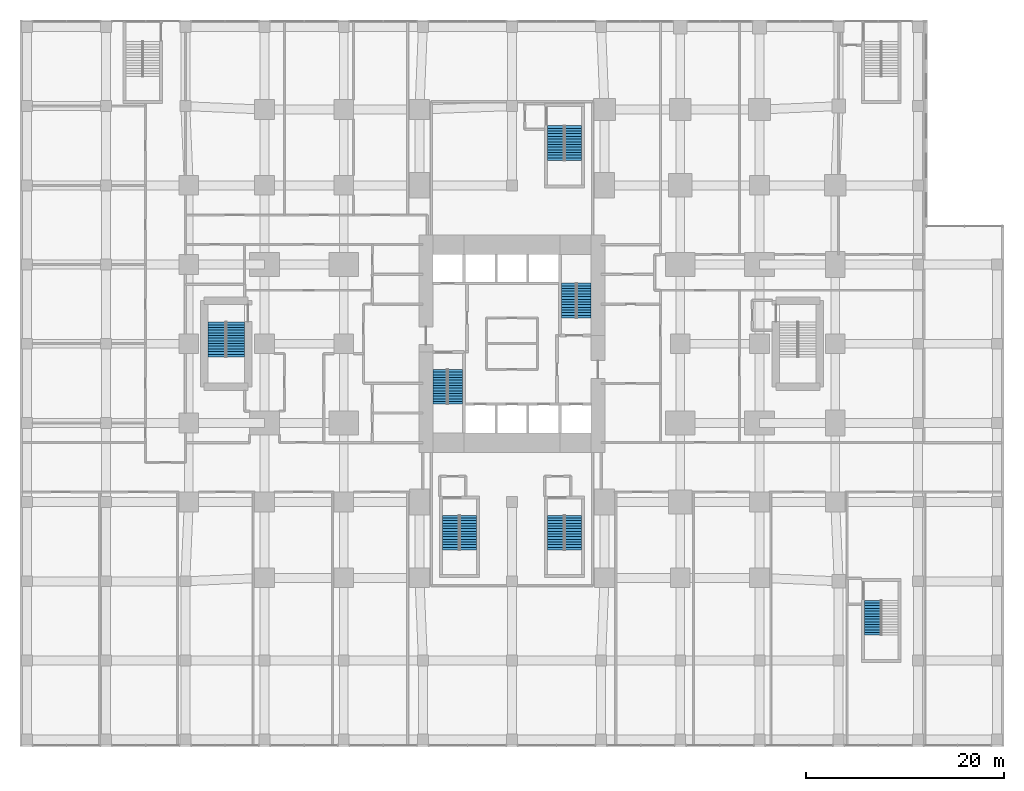
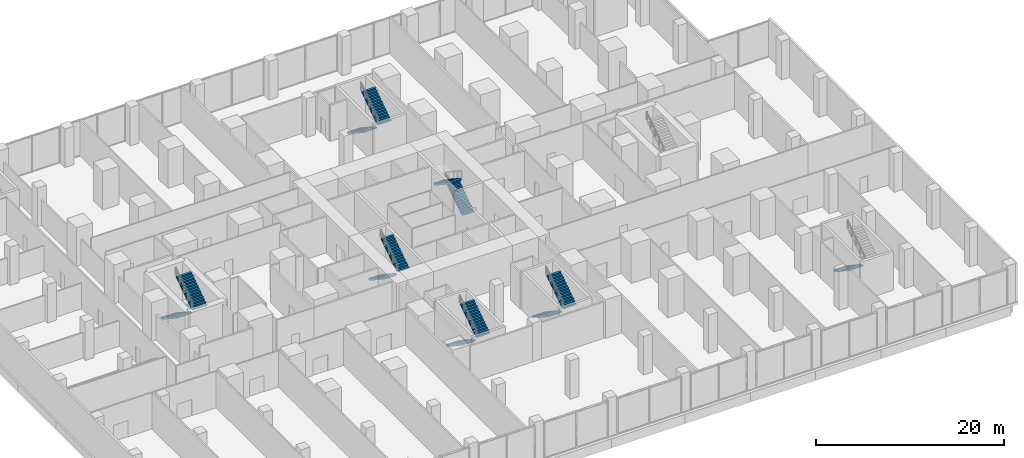
# One storey, part 20 of 22: 13 stair flights, 7 elements without a shape of their own.
"""IFC4 building model written with IfcOpenShell, lengths in metres."""

from ifc_helpers import new_model, si_unit, direction, frame, origin, place, context, subcontext, project, spatial, polyline, outline, extrude, material, type_object, element, aggregate, save


model = new_model("IFC4")

# Units and contexts
model_context = context("Model", 3, precision=1e-05, world=origin(), true_north=direction((0.0, 1.0)))
body_context = subcontext(model_context, "Body", "Model", "MODEL_VIEW")
ifc_project = project(units=[si_unit("LENGTHUNIT", "METRE"), si_unit("AREAUNIT", "SQUARE_METRE"), si_unit("VOLUMEUNIT", "CUBIC_METRE"), si_unit("PLANEANGLEUNIT", "RADIAN"), si_unit("MASSUNIT", "GRAM", prefix="KILO")], contexts=[model_context])

# Site, building, storey
site_placement = place(None, origin())
site = spatial("IfcSite", under=ifc_project, at=site_placement, CompositionType="ELEMENT")
building_placement = place(site_placement, origin())
building = spatial("IfcBuilding", under=site, at=building_placement, Name="Cleftline Residences", CompositionType="ELEMENT")
storey_placement = place(building_placement, frame((0.0, 0.0, 6.0)))
storey = spatial("IfcBuildingStorey", under=building, at=storey_placement, Name="L01", CompositionType="ELEMENT", Elevation=6.0)

# Stair, stair flights
ifc_material_1 = material(Name="Concrete B45, stone treads", Category="masonry")
stair_type_1 = type_object("IfcStairType", Name="STAIR A 1450 WIDE 179 RISER", PredefinedType="HALF_TURN_STAIR", material=ifc_material_1)
stair_1_placement = place(storey_placement, origin())
stair_1 = element("IfcStair", 1, at=stair_1_placement, inside=storey, type_object=stair_type_1, Name="Stair A L01", PredefinedType="HALF_TURN_STAIR")
ifc_material_2 = material(Name="Concrete B45", Category="concrete")
stair_flight_type_1 = type_object("IfcStairFlightType", Name="STAIR A FLIGHT 1450X179", PredefinedType="STRAIGHT", material=ifc_material_2)
stair_flight_1_placement = place(storey_placement, frame((25.72509765625, 21.39990234375, 0.0), z_axis=(0.0, 0.0, 1.0), x_axis=(0.0, -1.0, 0.0)))
stair_flight_1 = element("IfcStairFlight", 2, at=stair_flight_1_placement, type_object=stair_flight_type_1, Name="ST-A flight 1", NumberOfRisers=14, NumberOfTreads=13, PredefinedType="STRAIGHT", RiserHeight=0.178571429, TreadLength=0.27, context=body_context, shape_type="SweptSolid", body=[
    extrude(outline(polyline([(0.0, 0.0), (0.0, 0.013671875), (0.0, 0.027587890625), (0.0, 0.041259765625), (0.0, 0.054931640625), (0.0, 0.068603515625), (0.0, 0.08251953125), (0.0, 0.09619140625), (0.0, 0.10986328125), (0.0, 0.12353515625), (0.0, 0.137451171875), (0.0, 0.151123046875), (0.0, 0.164794921875), (0.0, 0.178466796875), (0.27001953125, 0.178466796875), (0.27001953125, 0.357177734375), (0.5400390625, 0.357177734375), (0.5400390625, 0.53564453125), (0.81005859375, 0.53564453125), (0.81005859375, 0.71435546875), (1.080078125, 0.71435546875), (1.080078125, 0.892822265625), (1.35009765625, 0.892822265625), (1.35009765625, 1.071533203125), (1.6201171875, 1.071533203125), (1.6201171875, 1.25), (1.889892578125, 1.25), (1.889892578125, 1.428466796875), (2.159912109375, 1.428466796875), (2.159912109375, 1.607177734375), (2.429931640625, 1.607177734375), (2.429931640625, 1.78564453125), (2.699951171875, 1.78564453125), (2.699951171875, 1.96435546875), (2.969970703125, 1.96435546875), (2.969970703125, 2.142822265625), (3.239990234375, 2.142822265625), (3.239990234375, 2.321533203125), (3.510009765625, 2.321533203125), (3.510009765625, 2.5), (3.510009765625, 2.472412109375), (3.510009765625, 2.44482421875), (3.510009765625, 2.417236328125), (3.510009765625, 2.3896484375), (3.510009765625, 2.3623046875), (3.510009765625, 2.334716796875), (3.510009765625, 2.30712890625), (3.510009765625, 2.279541015625), (3.510009765625, 2.251953125), (3.510009765625, 2.224365234375), (3.510009765625, 2.19677734375), (3.510009765625, 2.169189453125), (3.510009765625, 2.1416015625), (0.271728515625, 0.0), (0.0, 0.0)])), frame((0.0, 0.72509765625, 0.0), z_axis=(0.0, -1.0, 0.0), x_axis=(1.0, 0.0, 0.0)), (0.0, 0.0, 1.0), 1.449951171875),
])
stair_flight_2_placement = place(storey_placement, frame((27.27490234375, 17.889892578125, 2.5), z_axis=(0.0, 0.0, 1.0), x_axis=(0.0, 1.0, 0.0)))
stair_flight_2 = element("IfcStairFlight", 3, at=stair_flight_2_placement, type_object=stair_flight_type_1, Name="ST-A flight 2", NumberOfRisers=14, NumberOfTreads=13, PredefinedType="STRAIGHT", RiserHeight=0.178571429, TreadLength=0.27, context=body_context, shape_type="SweptSolid", body=[
    extrude(outline(polyline([(0.0, 0.0), (0.0, 0.013671875), (0.0, 0.027587890625), (0.0, 0.041259765625), (0.0, 0.054931640625), (0.0, 0.068603515625), (0.0, 0.08251953125), (0.0, 0.09619140625), (0.0, 0.10986328125), (0.0, 0.12353515625), (0.0, 0.137451171875), (0.0, 0.151123046875), (0.0, 0.164794921875), (0.0, 0.178466796875), (0.27001953125, 0.178466796875), (0.27001953125, 0.357177734375), (0.5400390625, 0.357177734375), (0.5400390625, 0.53564453125), (0.81005859375, 0.53564453125), (0.81005859375, 0.71435546875), (1.080078125, 0.71435546875), (1.080078125, 0.892822265625), (1.35009765625, 0.892822265625), (1.35009765625, 1.071533203125), (1.6201171875, 1.071533203125), (1.6201171875, 1.25), (1.889892578125, 1.25), (1.889892578125, 1.428466796875), (2.159912109375, 1.428466796875), (2.159912109375, 1.607177734375), (2.429931640625, 1.607177734375), (2.429931640625, 1.78564453125), (2.699951171875, 1.78564453125), (2.699951171875, 1.96435546875), (2.969970703125, 1.96435546875), (2.969970703125, 2.142822265625), (3.239990234375, 2.142822265625), (3.239990234375, 2.321533203125), (3.510009765625, 2.321533203125), (3.510009765625, 2.5), (3.510009765625, 2.472412109375), (3.510009765625, 2.44482421875), (3.510009765625, 2.417236328125), (3.510009765625, 2.3896484375), (3.510009765625, 2.3623046875), (3.510009765625, 2.334716796875), (3.510009765625, 2.30712890625), (3.510009765625, 2.279541015625), (3.510009765625, 2.251953125), (3.510009765625, 2.224365234375), (3.510009765625, 2.19677734375), (3.510009765625, 2.169189453125), (3.510009765625, 2.1416015625), (0.271728515625, 0.0), (0.0, 0.0)])), frame((0.0, 0.72509765625, 0.0), z_axis=(0.0, -1.0, 0.0), x_axis=(1.0, 0.0, 0.0)), (0.0, 0.0, 1.0), 1.449951171875),
])
aggregate(stair_1, [stair_flight_1, stair_flight_2])

ifc_material_3 = material(Name="Concrete B45, stone treads", Category="masonry")
stair_type_2 = type_object("IfcStairType", Name="STAIR B 1450 WIDE 179 RISER", PredefinedType="HALF_TURN_STAIR", material=ifc_material_3)
stair_2_placement = place(storey_placement, origin())
stair_2 = element("IfcStair", 4, at=stair_2_placement, inside=storey, type_object=stair_type_2, Name="Stair B L01", PredefinedType="HALF_TURN_STAIR")
ifc_material_4 = material(Name="Concrete B45", Category="concrete")
stair_flight_type_2 = type_object("IfcStairFlightType", Name="STAIR B FLIGHT 1450X179", PredefinedType="STRAIGHT", material=ifc_material_4)
stair_flight_3_placement = place(storey_placement, frame((40.27490234375, 26.60009765625, 0.0), z_axis=(0.0, 0.0, 1.0), x_axis=(0.0, 1.0, 0.0)))
stair_flight_3 = element("IfcStairFlight", 5, at=stair_flight_3_placement, type_object=stair_flight_type_2, Name="ST-B flight 1", NumberOfRisers=14, NumberOfTreads=13, PredefinedType="STRAIGHT", RiserHeight=0.178571429, TreadLength=0.27, context=body_context, shape_type="SweptSolid", body=[
    extrude(outline(polyline([(0.0, 0.0), (0.0, 0.013671875), (0.0, 0.027587890625), (0.0, 0.041259765625), (0.0, 0.054931640625), (0.0, 0.068603515625), (0.0, 0.08251953125), (0.0, 0.09619140625), (0.0, 0.10986328125), (0.0, 0.12353515625), (0.0, 0.137451171875), (0.0, 0.151123046875), (0.0, 0.164794921875), (0.0, 0.178466796875), (0.27001953125, 0.178466796875), (0.27001953125, 0.357177734375), (0.5400390625, 0.357177734375), (0.5400390625, 0.53564453125), (0.81005859375, 0.53564453125), (0.81005859375, 0.71435546875), (1.080078125, 0.71435546875), (1.080078125, 0.892822265625), (1.35009765625, 0.892822265625), (1.35009765625, 1.071533203125), (1.6201171875, 1.071533203125), (1.6201171875, 1.25), (1.889892578125, 1.25), (1.889892578125, 1.428466796875), (2.159912109375, 1.428466796875), (2.159912109375, 1.607177734375), (2.429931640625, 1.607177734375), (2.429931640625, 1.78564453125), (2.699951171875, 1.78564453125), (2.699951171875, 1.96435546875), (2.969970703125, 1.96435546875), (2.969970703125, 2.142822265625), (3.239990234375, 2.142822265625), (3.239990234375, 2.321533203125), (3.510009765625, 2.321533203125), (3.510009765625, 2.5), (3.510009765625, 2.472412109375), (3.510009765625, 2.44482421875), (3.510009765625, 2.417236328125), (3.510009765625, 2.3896484375), (3.510009765625, 2.3623046875), (3.510009765625, 2.334716796875), (3.510009765625, 2.30712890625), (3.510009765625, 2.279541015625), (3.510009765625, 2.251953125), (3.510009765625, 2.224365234375), (3.510009765625, 2.19677734375), (3.510009765625, 2.169189453125), (3.510009765625, 2.1416015625), (0.271728515625, 0.0), (0.0, 0.0)])), frame((0.0, 0.72509765625, 0.0), z_axis=(0.0, -1.0, 0.0), x_axis=(1.0, 0.0, 0.0)), (0.0, 0.0, 1.0), 1.449951171875),
])
stair_flight_4_placement = place(storey_placement, frame((38.72509765625, 30.110107421875, 2.5), z_axis=(0.0, 0.0, 1.0), x_axis=(0.0, -1.0, 0.0)))
stair_flight_4 = element("IfcStairFlight", 6, at=stair_flight_4_placement, type_object=stair_flight_type_2, Name="ST-B flight 2", NumberOfRisers=14, NumberOfTreads=13, PredefinedType="STRAIGHT", RiserHeight=0.178571429, TreadLength=0.27, context=body_context, shape_type="SweptSolid", body=[
    extrude(outline(polyline([(0.0, 0.0), (0.0, 0.013671875), (0.0, 0.027587890625), (0.0, 0.041259765625), (0.0, 0.054931640625), (0.0, 0.068603515625), (0.0, 0.08251953125), (0.0, 0.09619140625), (0.0, 0.10986328125), (0.0, 0.12353515625), (0.0, 0.137451171875), (0.0, 0.151123046875), (0.0, 0.164794921875), (0.0, 0.178466796875), (0.27001953125, 0.178466796875), (0.27001953125, 0.357177734375), (0.5400390625, 0.357177734375), (0.5400390625, 0.53564453125), (0.81005859375, 0.53564453125), (0.81005859375, 0.71435546875), (1.080078125, 0.71435546875), (1.080078125, 0.892822265625), (1.35009765625, 0.892822265625), (1.35009765625, 1.071533203125), (1.6201171875, 1.071533203125), (1.6201171875, 1.25), (1.889892578125, 1.25), (1.889892578125, 1.428466796875), (2.159912109375, 1.428466796875), (2.159912109375, 1.607177734375), (2.429931640625, 1.607177734375), (2.429931640625, 1.78564453125), (2.699951171875, 1.78564453125), (2.699951171875, 1.96435546875), (2.969970703125, 1.96435546875), (2.969970703125, 2.142822265625), (3.239990234375, 2.142822265625), (3.239990234375, 2.321533203125), (3.510009765625, 2.321533203125), (3.510009765625, 2.5), (3.510009765625, 2.472412109375), (3.510009765625, 2.44482421875), (3.510009765625, 2.417236328125), (3.510009765625, 2.3896484375), (3.510009765625, 2.3623046875), (3.510009765625, 2.334716796875), (3.510009765625, 2.30712890625), (3.510009765625, 2.279541015625), (3.510009765625, 2.251953125), (3.510009765625, 2.224365234375), (3.510009765625, 2.19677734375), (3.510009765625, 2.169189453125), (3.510009765625, 2.1416015625), (0.271728515625, 0.0), (0.0, 0.0)])), frame((0.0, 0.72509765625, 0.0), z_axis=(0.0, -1.0, 0.0), x_axis=(1.0, 0.0, 0.0)), (0.0, 0.0, 1.0), 1.449951171875),
])
aggregate(stair_2, [stair_flight_3, stair_flight_4])

ifc_material_5 = material(Name="Concrete B45, stone treads", Category="masonry")
stair_type_3 = type_object("IfcStairType", Name="STAIR C 1630 WIDE 179 RISER", PredefinedType="HALF_TURN_STAIR", material=ifc_material_5)
stair_3_placement = place(storey_placement, origin())
stair_3 = element("IfcStair", 7, at=stair_3_placement, inside=storey, type_object=stair_type_3, Name="Stair C L01", PredefinedType="HALF_TURN_STAIR")
ifc_material_6 = material(Name="Concrete B45", Category="concrete")
stair_flight_type_3 = type_object("IfcStairFlightType", Name="STAIR C FLIGHT 1630X179", PredefinedType="STRAIGHT", material=ifc_material_6)
stair_flight_5_placement = place(storey_placement, frame((26.81494140625, 6.669921875, 0.0), z_axis=(0.0, 0.0, 1.0), x_axis=(0.0, -1.0, 0.0)))
stair_flight_5 = element("IfcStairFlight", 8, at=stair_flight_5_placement, type_object=stair_flight_type_3, Name="ST-C flight 1", NumberOfRisers=14, NumberOfTreads=13, PredefinedType="STRAIGHT", RiserHeight=0.178571429, TreadLength=0.27, context=body_context, shape_type="SweptSolid", body=[
    extrude(outline(polyline([(0.0, 0.0), (0.0, 0.013671875), (0.0, 0.027587890625), (0.0, 0.041259765625), (0.0, 0.054931640625), (0.0, 0.068603515625), (0.0, 0.08251953125), (0.0, 0.09619140625), (0.0, 0.10986328125), (0.0, 0.12353515625), (0.0, 0.137451171875), (0.0, 0.151123046875), (0.0, 0.164794921875), (0.0, 0.178466796875), (0.27001953125, 0.178466796875), (0.27001953125, 0.357177734375), (0.5400390625, 0.357177734375), (0.5400390625, 0.53564453125), (0.81005859375, 0.53564453125), (0.81005859375, 0.71435546875), (1.080078125, 0.71435546875), (1.080078125, 0.892822265625), (1.35009765625, 0.892822265625), (1.35009765625, 1.071533203125), (1.6201171875, 1.071533203125), (1.6201171875, 1.25), (1.889892578125, 1.25), (1.889892578125, 1.428466796875), (2.159912109375, 1.428466796875), (2.159912109375, 1.607177734375), (2.429931640625, 1.607177734375), (2.429931640625, 1.78564453125), (2.699951171875, 1.78564453125), (2.699951171875, 1.96435546875), (2.969970703125, 1.96435546875), (2.969970703125, 2.142822265625), (3.239990234375, 2.142822265625), (3.239990234375, 2.321533203125), (3.510009765625, 2.321533203125), (3.510009765625, 2.5), (3.510009765625, 2.472412109375), (3.510009765625, 2.44482421875), (3.510009765625, 2.417236328125), (3.510009765625, 2.3896484375), (3.510009765625, 2.3623046875), (3.510009765625, 2.334716796875), (3.510009765625, 2.30712890625), (3.510009765625, 2.279541015625), (3.510009765625, 2.251953125), (3.510009765625, 2.224365234375), (3.510009765625, 2.19677734375), (3.510009765625, 2.169189453125), (3.510009765625, 2.1416015625), (0.271728515625, 0.0), (0.0, 0.0)])), frame((0.0, 0.81494140625, 0.0), z_axis=(0.0, -1.0, 0.0), x_axis=(1.0, 0.0, 0.0)), (0.0, 0.0, 1.0), 1.6298828125),
])
stair_flight_6_placement = place(storey_placement, frame((28.5849609375, 3.159912109375, 2.5), z_axis=(0.0, 0.0, 1.0), x_axis=(0.0, 1.0, 0.0)))
stair_flight_6 = element("IfcStairFlight", 9, at=stair_flight_6_placement, type_object=stair_flight_type_3, Name="ST-C flight 2", NumberOfRisers=14, NumberOfTreads=13, PredefinedType="STRAIGHT", RiserHeight=0.178571429, TreadLength=0.27, context=body_context, shape_type="SweptSolid", body=[
    extrude(outline(polyline([(0.0, 0.0), (0.0, 0.013671875), (0.0, 0.027587890625), (0.0, 0.041259765625), (0.0, 0.054931640625), (0.0, 0.068603515625), (0.0, 0.08251953125), (0.0, 0.09619140625), (0.0, 0.10986328125), (0.0, 0.12353515625), (0.0, 0.137451171875), (0.0, 0.151123046875), (0.0, 0.164794921875), (0.0, 0.178466796875), (0.27001953125, 0.178466796875), (0.27001953125, 0.357177734375), (0.5400390625, 0.357177734375), (0.5400390625, 0.53564453125), (0.81005859375, 0.53564453125), (0.81005859375, 0.71435546875), (1.080078125, 0.71435546875), (1.080078125, 0.892822265625), (1.35009765625, 0.892822265625), (1.35009765625, 1.071533203125), (1.6201171875, 1.071533203125), (1.6201171875, 1.25), (1.889892578125, 1.25), (1.889892578125, 1.428466796875), (2.159912109375, 1.428466796875), (2.159912109375, 1.607177734375), (2.429931640625, 1.607177734375), (2.429931640625, 1.78564453125), (2.699951171875, 1.78564453125), (2.699951171875, 1.96435546875), (2.969970703125, 1.96435546875), (2.969970703125, 2.142822265625), (3.239990234375, 2.142822265625), (3.239990234375, 2.321533203125), (3.510009765625, 2.321533203125), (3.510009765625, 2.5), (3.510009765625, 2.472412109375), (3.510009765625, 2.44482421875), (3.510009765625, 2.417236328125), (3.510009765625, 2.3896484375), (3.510009765625, 2.3623046875), (3.510009765625, 2.334716796875), (3.510009765625, 2.30712890625), (3.510009765625, 2.279541015625), (3.510009765625, 2.251953125), (3.510009765625, 2.224365234375), (3.510009765625, 2.19677734375), (3.510009765625, 2.169189453125), (3.510009765625, 2.1416015625), (0.271728515625, 0.0), (0.0, 0.0)])), frame((0.0, 0.81494140625, 0.0), z_axis=(0.0, -1.0, 0.0), x_axis=(1.0, 0.0, 0.0)), (0.0, 0.0, 1.0), 1.6298828125),
])
aggregate(stair_3, [stair_flight_5, stair_flight_6])

ifc_material_7 = material(Name="Concrete B45, stone treads", Category="masonry")
stair_type_4 = type_object("IfcStairType", Name="STAIR C2 1630 WIDE 179 RISER", PredefinedType="HALF_TURN_STAIR", material=ifc_material_7)
stair_4_placement = place(storey_placement, origin())
stair_4 = element("IfcStair", 10, at=stair_4_placement, inside=storey, type_object=stair_type_4, Name="Stair C2 L01", PredefinedType="HALF_TURN_STAIR")
ifc_material_8 = material(Name="Concrete B45", Category="concrete")
stair_flight_type_4 = type_object("IfcStairFlightType", Name="STAIR C2 FLIGHT 1630X179", PredefinedType="STRAIGHT", material=ifc_material_8)
stair_flight_7_placement = place(storey_placement, frame((37.4150390625, 6.669921875, 0.0), z_axis=(0.0, 0.0, 1.0), x_axis=(0.0, -1.0, 0.0)))
stair_flight_7 = element("IfcStairFlight", 11, at=stair_flight_7_placement, type_object=stair_flight_type_4, Name="ST-C2 flight 1", NumberOfRisers=14, NumberOfTreads=13, PredefinedType="STRAIGHT", RiserHeight=0.178571429, TreadLength=0.27, context=body_context, shape_type="SweptSolid", body=[
    extrude(outline(polyline([(0.0, 0.0), (0.0, 0.013671875), (0.0, 0.027587890625), (0.0, 0.041259765625), (0.0, 0.054931640625), (0.0, 0.068603515625), (0.0, 0.08251953125), (0.0, 0.09619140625), (0.0, 0.10986328125), (0.0, 0.12353515625), (0.0, 0.137451171875), (0.0, 0.151123046875), (0.0, 0.164794921875), (0.0, 0.178466796875), (0.27001953125, 0.178466796875), (0.27001953125, 0.357177734375), (0.5400390625, 0.357177734375), (0.5400390625, 0.53564453125), (0.81005859375, 0.53564453125), (0.81005859375, 0.71435546875), (1.080078125, 0.71435546875), (1.080078125, 0.892822265625), (1.35009765625, 0.892822265625), (1.35009765625, 1.071533203125), (1.6201171875, 1.071533203125), (1.6201171875, 1.25), (1.889892578125, 1.25), (1.889892578125, 1.428466796875), (2.159912109375, 1.428466796875), (2.159912109375, 1.607177734375), (2.429931640625, 1.607177734375), (2.429931640625, 1.78564453125), (2.699951171875, 1.78564453125), (2.699951171875, 1.96435546875), (2.969970703125, 1.96435546875), (2.969970703125, 2.142822265625), (3.239990234375, 2.142822265625), (3.239990234375, 2.321533203125), (3.510009765625, 2.321533203125), (3.510009765625, 2.5), (3.510009765625, 2.472412109375), (3.510009765625, 2.44482421875), (3.510009765625, 2.417236328125), (3.510009765625, 2.3896484375), (3.510009765625, 2.3623046875), (3.510009765625, 2.334716796875), (3.510009765625, 2.30712890625), (3.510009765625, 2.279541015625), (3.510009765625, 2.251953125), (3.510009765625, 2.224365234375), (3.510009765625, 2.19677734375), (3.510009765625, 2.169189453125), (3.510009765625, 2.1416015625), (0.271728515625, 0.0), (0.0, 0.0)])), frame((0.0, 0.81494140625, 0.0), z_axis=(0.0, -1.0, 0.0), x_axis=(1.0, 0.0, 0.0)), (0.0, 0.0, 1.0), 1.6298828125),
])
stair_flight_8_placement = place(storey_placement, frame((39.18505859375, 3.159912109375, 2.5), z_axis=(0.0, 0.0, 1.0), x_axis=(0.0, 1.0, 0.0)))
stair_flight_8 = element("IfcStairFlight", 12, at=stair_flight_8_placement, type_object=stair_flight_type_4, Name="ST-C2 flight 2", NumberOfRisers=14, NumberOfTreads=13, PredefinedType="STRAIGHT", RiserHeight=0.178571429, TreadLength=0.27, context=body_context, shape_type="SweptSolid", body=[
    extrude(outline(polyline([(0.0, 0.0), (0.0, 0.013671875), (0.0, 0.027587890625), (0.0, 0.041259765625), (0.0, 0.054931640625), (0.0, 0.068603515625), (0.0, 0.08251953125), (0.0, 0.09619140625), (0.0, 0.10986328125), (0.0, 0.12353515625), (0.0, 0.137451171875), (0.0, 0.151123046875), (0.0, 0.164794921875), (0.0, 0.178466796875), (0.27001953125, 0.178466796875), (0.27001953125, 0.357177734375), (0.5400390625, 0.357177734375), (0.5400390625, 0.53564453125), (0.81005859375, 0.53564453125), (0.81005859375, 0.71435546875), (1.080078125, 0.71435546875), (1.080078125, 0.892822265625), (1.35009765625, 0.892822265625), (1.35009765625, 1.071533203125), (1.6201171875, 1.071533203125), (1.6201171875, 1.25), (1.889892578125, 1.25), (1.889892578125, 1.428466796875), (2.159912109375, 1.428466796875), (2.159912109375, 1.607177734375), (2.429931640625, 1.607177734375), (2.429931640625, 1.78564453125), (2.699951171875, 1.78564453125), (2.699951171875, 1.96435546875), (2.969970703125, 1.96435546875), (2.969970703125, 2.142822265625), (3.239990234375, 2.142822265625), (3.239990234375, 2.321533203125), (3.510009765625, 2.321533203125), (3.510009765625, 2.5), (3.510009765625, 2.472412109375), (3.510009765625, 2.44482421875), (3.510009765625, 2.417236328125), (3.510009765625, 2.3896484375), (3.510009765625, 2.3623046875), (3.510009765625, 2.334716796875), (3.510009765625, 2.30712890625), (3.510009765625, 2.279541015625), (3.510009765625, 2.251953125), (3.510009765625, 2.224365234375), (3.510009765625, 2.19677734375), (3.510009765625, 2.169189453125), (3.510009765625, 2.1416015625), (0.271728515625, 0.0), (0.0, 0.0)])), frame((0.0, 0.81494140625, 0.0), z_axis=(0.0, -1.0, 0.0), x_axis=(1.0, 0.0, 0.0)), (0.0, 0.0, 1.0), 1.6298828125),
])
aggregate(stair_4, [stair_flight_7, stair_flight_8])

ifc_material_9 = material(Name="Concrete B45, stone treads", Category="masonry")
stair_type_5 = type_object("IfcStairType", Name="STAIR D 1630 WIDE 179 RISER", PredefinedType="HALF_TURN_STAIR", material=ifc_material_9)
stair_5_placement = place(storey_placement, origin())
stair_5 = element("IfcStair", 13, at=stair_5_placement, inside=storey, type_object=stair_type_5, Name="Stair D L01", PredefinedType="HALF_TURN_STAIR")
ifc_material_10 = material(Name="Concrete B45", Category="concrete")
stair_flight_type_5 = type_object("IfcStairFlightType", Name="STAIR D FLIGHT 1630X179", PredefinedType="STRAIGHT", material=ifc_material_10)
stair_flight_9_placement = place(storey_placement, frame((37.4150390625, 46.02001953125, 0.0), z_axis=(0.0, 0.0, 1.0), x_axis=(0.0, -1.0, 0.0)))
stair_flight_9 = element("IfcStairFlight", 14, at=stair_flight_9_placement, type_object=stair_flight_type_5, Name="ST-D flight 1", NumberOfRisers=14, NumberOfTreads=13, PredefinedType="STRAIGHT", RiserHeight=0.178571429, TreadLength=0.27, context=body_context, shape_type="SweptSolid", body=[
    extrude(outline(polyline([(0.0, 0.0), (0.0, 0.013671875), (0.0, 0.027587890625), (0.0, 0.041259765625), (0.0, 0.054931640625), (0.0, 0.068603515625), (0.0, 0.08251953125), (0.0, 0.09619140625), (0.0, 0.10986328125), (0.0, 0.12353515625), (0.0, 0.137451171875), (0.0, 0.151123046875), (0.0, 0.164794921875), (0.0, 0.178466796875), (0.27001953125, 0.178466796875), (0.27001953125, 0.357177734375), (0.5400390625, 0.357177734375), (0.5400390625, 0.53564453125), (0.81005859375, 0.53564453125), (0.81005859375, 0.71435546875), (1.080078125, 0.71435546875), (1.080078125, 0.892822265625), (1.35009765625, 0.892822265625), (1.35009765625, 1.071533203125), (1.6201171875, 1.071533203125), (1.6201171875, 1.25), (1.889892578125, 1.25), (1.889892578125, 1.428466796875), (2.159912109375, 1.428466796875), (2.159912109375, 1.607177734375), (2.429931640625, 1.607177734375), (2.429931640625, 1.78564453125), (2.699951171875, 1.78564453125), (2.699951171875, 1.96435546875), (2.969970703125, 1.96435546875), (2.969970703125, 2.142822265625), (3.239990234375, 2.142822265625), (3.239990234375, 2.321533203125), (3.510009765625, 2.321533203125), (3.510009765625, 2.5), (3.510009765625, 2.472412109375), (3.510009765625, 2.44482421875), (3.510009765625, 2.417236328125), (3.510009765625, 2.3896484375), (3.510009765625, 2.3623046875), (3.510009765625, 2.334716796875), (3.510009765625, 2.30712890625), (3.510009765625, 2.279541015625), (3.510009765625, 2.251953125), (3.510009765625, 2.224365234375), (3.510009765625, 2.19677734375), (3.510009765625, 2.169189453125), (3.510009765625, 2.1416015625), (0.271728515625, 0.0), (0.0, 0.0)])), frame((0.0, 0.81494140625, 0.0), z_axis=(0.0, -1.0, 0.0), x_axis=(1.0, 0.0, 0.0)), (0.0, 0.0, 1.0), 1.6298828125),
])
stair_flight_10_placement = place(storey_placement, frame((39.18505859375, 42.510009765625, 2.5), z_axis=(0.0, 0.0, 1.0), x_axis=(0.0, 1.0, 0.0)))
stair_flight_10 = element("IfcStairFlight", 15, at=stair_flight_10_placement, type_object=stair_flight_type_5, Name="ST-D flight 2", NumberOfRisers=14, NumberOfTreads=13, PredefinedType="STRAIGHT", RiserHeight=0.178571429, TreadLength=0.27, context=body_context, shape_type="SweptSolid", body=[
    extrude(outline(polyline([(0.0, 0.0), (0.0, 0.013671875), (0.0, 0.027587890625), (0.0, 0.041259765625), (0.0, 0.054931640625), (0.0, 0.068603515625), (0.0, 0.08251953125), (0.0, 0.09619140625), (0.0, 0.10986328125), (0.0, 0.12353515625), (0.0, 0.137451171875), (0.0, 0.151123046875), (0.0, 0.164794921875), (0.0, 0.178466796875), (0.27001953125, 0.178466796875), (0.27001953125, 0.357177734375), (0.5400390625, 0.357177734375), (0.5400390625, 0.53564453125), (0.81005859375, 0.53564453125), (0.81005859375, 0.71435546875), (1.080078125, 0.71435546875), (1.080078125, 0.892822265625), (1.35009765625, 0.892822265625), (1.35009765625, 1.071533203125), (1.6201171875, 1.071533203125), (1.6201171875, 1.25), (1.889892578125, 1.25), (1.889892578125, 1.428466796875), (2.159912109375, 1.428466796875), (2.159912109375, 1.607177734375), (2.429931640625, 1.607177734375), (2.429931640625, 1.78564453125), (2.699951171875, 1.78564453125), (2.699951171875, 1.96435546875), (2.969970703125, 1.96435546875), (2.969970703125, 2.142822265625), (3.239990234375, 2.142822265625), (3.239990234375, 2.321533203125), (3.510009765625, 2.321533203125), (3.510009765625, 2.5), (3.510009765625, 2.472412109375), (3.510009765625, 2.44482421875), (3.510009765625, 2.417236328125), (3.510009765625, 2.3896484375), (3.510009765625, 2.3623046875), (3.510009765625, 2.334716796875), (3.510009765625, 2.30712890625), (3.510009765625, 2.279541015625), (3.510009765625, 2.251953125), (3.510009765625, 2.224365234375), (3.510009765625, 2.19677734375), (3.510009765625, 2.169189453125), (3.510009765625, 2.1416015625), (0.271728515625, 0.0), (0.0, 0.0)])), frame((0.0, 0.81494140625, 0.0), z_axis=(0.0, -1.0, 0.0), x_axis=(1.0, 0.0, 0.0)), (0.0, 0.0, 1.0), 1.6298828125),
])
aggregate(stair_5, [stair_flight_9, stair_flight_10])

# Stair, stair flight
ifc_material_11 = material(Name="Concrete B45, stone treads", Category="masonry")
stair_type_6 = type_object("IfcStairType", Name="STAIR PS-S 1630 WIDE 179 RISER", PredefinedType="HALF_TURN_STAIR", material=ifc_material_11)
stair_6_placement = place(storey_placement, origin())
stair_6 = element("IfcStair", 16, at=stair_6_placement, inside=storey, type_object=stair_type_6, Name="Stair PS-S L01", PredefinedType="HALF_TURN_STAIR")
ifc_material_12 = material(Name="Concrete B45", Category="concrete")
stair_flight_type_6 = type_object("IfcStairFlightType", Name="STAIR PS-S FLIGHT 1630X179", PredefinedType="STRAIGHT", material=ifc_material_12)
stair_flight_11_placement = place(storey_placement, frame((69.4150390625, -1.929931640625, 0.0), z_axis=(0.0, 0.0, 1.0), x_axis=(0.0, -1.0, 0.0)))
stair_flight_11 = element("IfcStairFlight", 17, at=stair_flight_11_placement, type_object=stair_flight_type_6, Name="ST-PS-S flight 1", NumberOfRisers=14, NumberOfTreads=13, PredefinedType="STRAIGHT", RiserHeight=0.178571429, TreadLength=0.27, context=body_context, shape_type="SweptSolid", body=[
    extrude(outline(polyline([(0.0, 0.0), (0.0, 0.013671875), (0.0, 0.027587890625), (0.0, 0.041259765625), (0.0, 0.054931640625), (0.0, 0.068603515625), (0.0, 0.08251953125), (0.0, 0.09619140625), (0.0, 0.10986328125), (0.0, 0.12353515625), (0.0, 0.137451171875), (0.0, 0.151123046875), (0.0, 0.164794921875), (0.0, 0.178466796875), (0.27001953125, 0.178466796875), (0.27001953125, 0.357177734375), (0.5400390625, 0.357177734375), (0.5400390625, 0.53564453125), (0.81005859375, 0.53564453125), (0.81005859375, 0.71435546875), (1.080078125, 0.71435546875), (1.080078125, 0.892822265625), (1.35009765625, 0.892822265625), (1.35009765625, 1.071533203125), (1.6201171875, 1.071533203125), (1.6201171875, 1.25), (1.889892578125, 1.25), (1.889892578125, 1.428466796875), (2.159912109375, 1.428466796875), (2.159912109375, 1.607177734375), (2.429931640625, 1.607177734375), (2.429931640625, 1.78564453125), (2.699951171875, 1.78564453125), (2.699951171875, 1.96435546875), (2.969970703125, 1.96435546875), (2.969970703125, 2.142822265625), (3.239990234375, 2.142822265625), (3.239990234375, 2.321533203125), (3.510009765625, 2.321533203125), (3.510009765625, 2.5), (3.510009765625, 2.472412109375), (3.510009765625, 2.44482421875), (3.510009765625, 2.417236328125), (3.510009765625, 2.3896484375), (3.510009765625, 2.3623046875), (3.510009765625, 2.334716796875), (3.510009765625, 2.30712890625), (3.510009765625, 2.279541015625), (3.510009765625, 2.251953125), (3.510009765625, 2.224365234375), (3.510009765625, 2.19677734375), (3.510009765625, 2.169189453125), (3.510009765625, 2.1416015625), (0.271728515625, 0.0), (0.0, 0.0)])), frame((0.0, 0.81494140625, 0.0), z_axis=(0.0, -1.0, 0.0), x_axis=(1.0, 0.0, 0.0)), (0.0, 0.0, 1.0), 1.6298828125),
])
aggregate(stair_6, [stair_flight_11])

# Stair, stair flights
ifc_material_13 = material(Name="Concrete B45, stone treads", Category="masonry")
stair_type_7 = type_object("IfcStairType", Name="STAIR W 1800 WIDE 179 RISER", PredefinedType="HALF_TURN_STAIR", material=ifc_material_13)
stair_7_placement = place(storey_placement, origin())
stair_7 = element("IfcStair", 18, at=stair_7_placement, inside=storey, type_object=stair_type_7, Name="Stair W L01", PredefinedType="HALF_TURN_STAIR")
ifc_material_14 = material(Name="Concrete B45", Category="concrete")
stair_flight_type_7 = type_object("IfcStairFlightType", Name="STAIR W FLIGHT 1800X179", PredefinedType="STRAIGHT", material=ifc_material_14)
stair_flight_12_placement = place(storey_placement, frame((3.175048828125, 26.175048828125, 0.0), z_axis=(0.0, 0.0, 1.0), x_axis=(0.0, -1.0, 0.0)))
stair_flight_12 = element("IfcStairFlight", 19, at=stair_flight_12_placement, type_object=stair_flight_type_7, Name="ST-W flight 1", NumberOfRisers=14, NumberOfTreads=13, PredefinedType="STRAIGHT", RiserHeight=0.178571429, TreadLength=0.27, context=body_context, shape_type="SweptSolid", body=[
    extrude(outline(polyline([(0.0, 0.0), (0.0, 0.013671875), (0.0, 0.027587890625), (0.0, 0.041259765625), (0.0, 0.054931640625), (0.0, 0.068603515625), (0.0, 0.08251953125), (0.0, 0.09619140625), (0.0, 0.10986328125), (0.0, 0.12353515625), (0.0, 0.137451171875), (0.0, 0.151123046875), (0.0, 0.164794921875), (0.0, 0.178466796875), (0.27001953125, 0.178466796875), (0.27001953125, 0.357177734375), (0.5400390625, 0.357177734375), (0.5400390625, 0.53564453125), (0.81005859375, 0.53564453125), (0.81005859375, 0.71435546875), (1.080078125, 0.71435546875), (1.080078125, 0.892822265625), (1.35009765625, 0.892822265625), (1.35009765625, 1.071533203125), (1.6201171875, 1.071533203125), (1.6201171875, 1.25), (1.889892578125, 1.25), (1.889892578125, 1.428466796875), (2.159912109375, 1.428466796875), (2.159912109375, 1.607177734375), (2.429931640625, 1.607177734375), (2.429931640625, 1.78564453125), (2.699951171875, 1.78564453125), (2.699951171875, 1.96435546875), (2.969970703125, 1.96435546875), (2.969970703125, 2.142822265625), (3.239990234375, 2.142822265625), (3.239990234375, 2.321533203125), (3.510009765625, 2.321533203125), (3.510009765625, 2.5), (3.510009765625, 2.472412109375), (3.510009765625, 2.44482421875), (3.510009765625, 2.417236328125), (3.510009765625, 2.3896484375), (3.510009765625, 2.3623046875), (3.510009765625, 2.334716796875), (3.510009765625, 2.30712890625), (3.510009765625, 2.279541015625), (3.510009765625, 2.251953125), (3.510009765625, 2.224365234375), (3.510009765625, 2.19677734375), (3.510009765625, 2.169189453125), (3.510009765625, 2.1416015625), (0.271728515625, 0.0), (0.0, 0.0)])), frame((0.0, 0.89990234375, 0.0), z_axis=(0.0, -1.0, 0.0), x_axis=(1.0, 0.0, 0.0)), (0.0, 0.0, 1.0), 1.800048828125),
])
stair_flight_13_placement = place(storey_placement, frame((5.074951171875, 22.6650390625, 2.5), z_axis=(0.0, 0.0, 1.0), x_axis=(0.0, 1.0, 0.0)))
stair_flight_13 = element("IfcStairFlight", 20, at=stair_flight_13_placement, type_object=stair_flight_type_7, Name="ST-W flight 2", NumberOfRisers=14, NumberOfTreads=13, PredefinedType="STRAIGHT", RiserHeight=0.178571429, TreadLength=0.27, context=body_context, shape_type="SweptSolid", body=[
    extrude(outline(polyline([(0.0, 0.0), (0.0, 0.013671875), (0.0, 0.027587890625), (0.0, 0.041259765625), (0.0, 0.054931640625), (0.0, 0.068603515625), (0.0, 0.08251953125), (0.0, 0.09619140625), (0.0, 0.10986328125), (0.0, 0.12353515625), (0.0, 0.137451171875), (0.0, 0.151123046875), (0.0, 0.164794921875), (0.0, 0.178466796875), (0.27001953125, 0.178466796875), (0.27001953125, 0.357177734375), (0.5400390625, 0.357177734375), (0.5400390625, 0.53564453125), (0.81005859375, 0.53564453125), (0.81005859375, 0.71435546875), (1.080078125, 0.71435546875), (1.080078125, 0.892822265625), (1.35009765625, 0.892822265625), (1.35009765625, 1.071533203125), (1.6201171875, 1.071533203125), (1.6201171875, 1.25), (1.889892578125, 1.25), (1.889892578125, 1.428466796875), (2.159912109375, 1.428466796875), (2.159912109375, 1.607177734375), (2.429931640625, 1.607177734375), (2.429931640625, 1.78564453125), (2.699951171875, 1.78564453125), (2.699951171875, 1.96435546875), (2.969970703125, 1.96435546875), (2.969970703125, 2.142822265625), (3.239990234375, 2.142822265625), (3.239990234375, 2.321533203125), (3.510009765625, 2.321533203125), (3.510009765625, 2.5), (3.510009765625, 2.472412109375), (3.510009765625, 2.44482421875), (3.510009765625, 2.417236328125), (3.510009765625, 2.3896484375), (3.510009765625, 2.3623046875), (3.510009765625, 2.334716796875), (3.510009765625, 2.30712890625), (3.510009765625, 2.279541015625), (3.510009765625, 2.251953125), (3.510009765625, 2.224365234375), (3.510009765625, 2.19677734375), (3.510009765625, 2.169189453125), (3.510009765625, 2.1416015625), (0.271728515625, 0.0), (0.0, 0.0)])), frame((0.0, 0.89990234375, 0.0), z_axis=(0.0, -1.0, 0.0), x_axis=(1.0, 0.0, 0.0)), (0.0, 0.0, 1.0), 1.800048828125),
])
aggregate(stair_7, [stair_flight_12, stair_flight_13])

save(model, "model.ifc")
